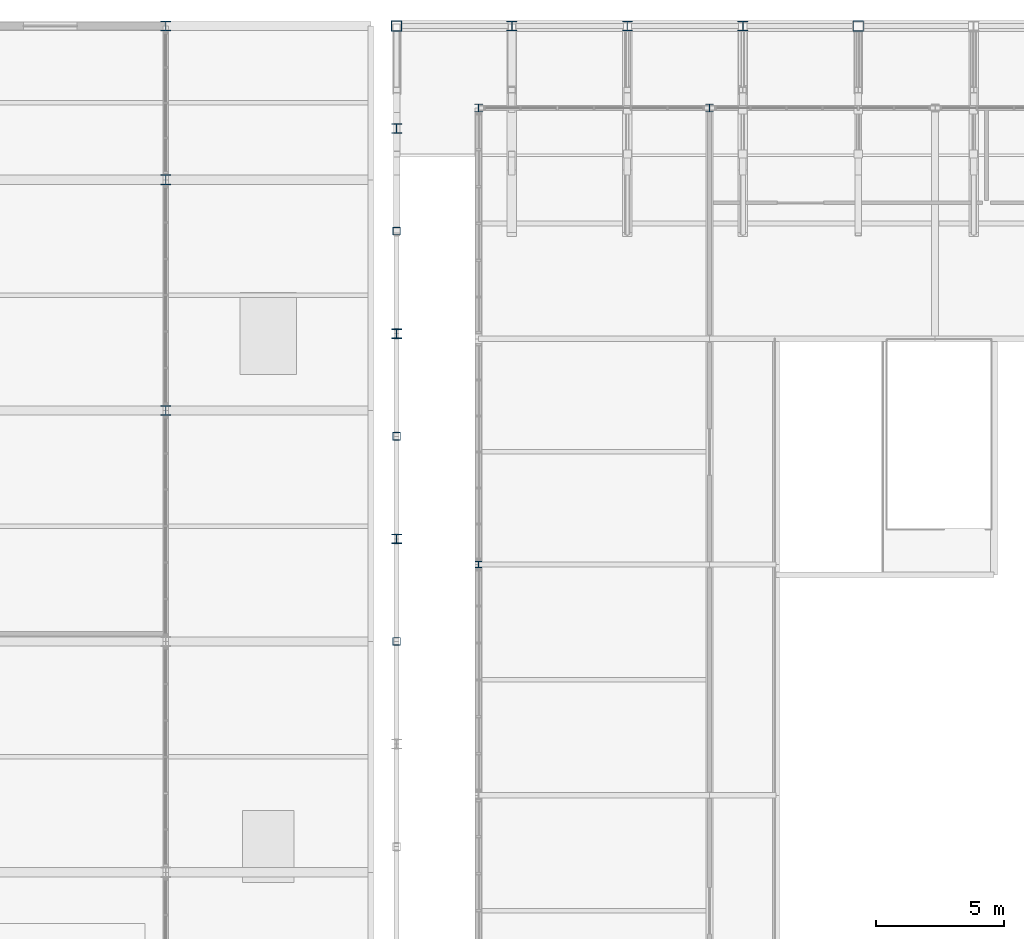
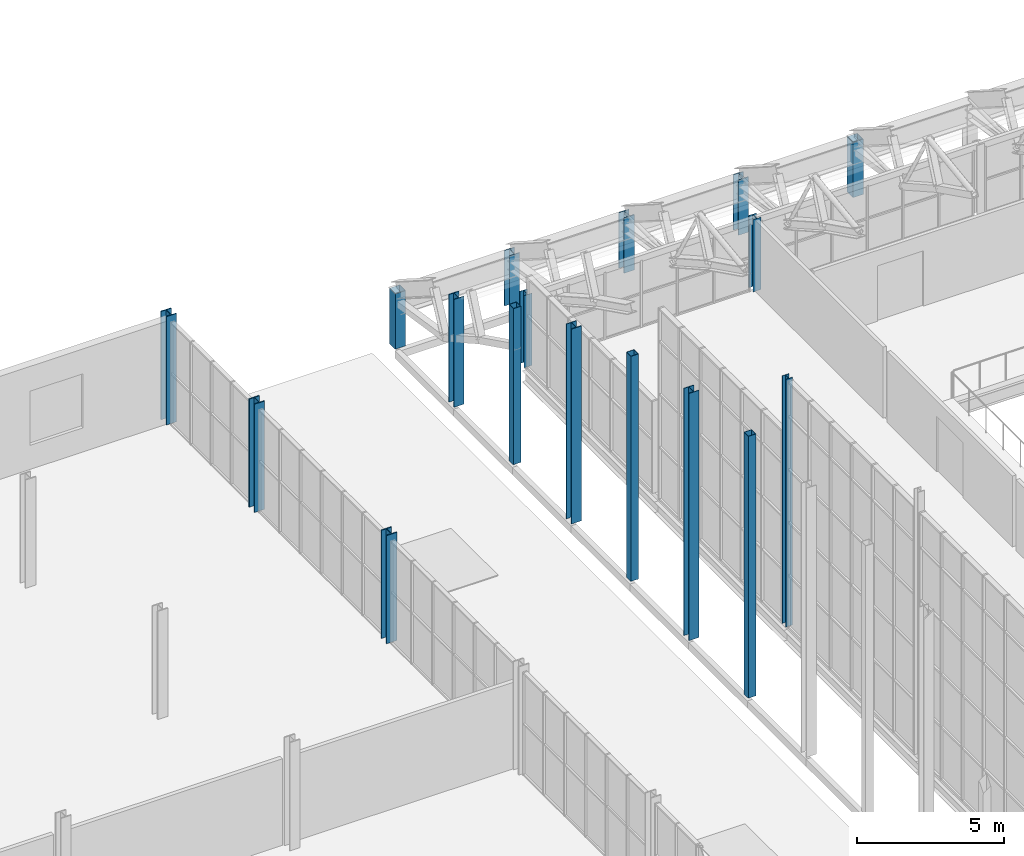
# One storey, part 11 of 134: 17 columns.
"""IFC4 building model written with IfcOpenShell, lengths in metres."""

from ifc_helpers import new_model, si_unit, direction, frame, origin, origin_2d, place, context, subcontext, project, spatial, hollow_rectangle, i_section, extrude, material, material_profile, profile_set, type_object, element, save


model = new_model("IFC4")

# Units and contexts
model_context = context("Model", 3, precision=1e-05, world=origin(), true_north=direction((0.0, 1.0)))
body_context = subcontext(model_context, "Body", "Model", "MODEL_VIEW")
ifc_project = project(units=[si_unit("LENGTHUNIT", "METRE"), si_unit("AREAUNIT", "SQUARE_METRE"), si_unit("VOLUMEUNIT", "CUBIC_METRE"), si_unit("PLANEANGLEUNIT", "RADIAN"), si_unit("MASSUNIT", "GRAM", prefix="KILO")], contexts=[model_context])

# Site, building, storey
site_placement = place(None, origin())
site = spatial("IfcSite", under=ifc_project, at=site_placement, CompositionType="ELEMENT")
building_placement = place(site_placement, origin())
building = spatial("IfcBuilding", under=site, at=building_placement, Name="Cazmaro Siding Exhibition Halls", CompositionType="ELEMENT")
storey_placement = place(building_placement, frame((0.0, 0.0, 12.0)))
storey = spatial("IfcBuildingStorey", under=building, at=storey_placement, Name="L02", CompositionType="ELEMENT", Elevation=12.0)

# Columns
ifc_material_1 = material(Name="Steel ASTM A992 Grade 50", Category="steel")
ifc_material_profile_1 = material_profile(ifc_material_1, i_section(OverallWidth=0.40087890625, OverallDepth=0.39892578125, WebThickness=0.02490234375, FlangeThickness=0.0400390625, at=origin_2d()), Name="W14X211")
ifc_profile_set_1 = profile_set([ifc_material_profile_1], Name="Steel ASTM A992 Grade 50")
column_type_1 = type_object("IfcColumnType", Name="C-02", PredefinedType="COLUMN", material=ifc_profile_set_1)
for number, where, z_axis, x_axis, name in (
    (1, (36.0, 109.0, 0.0), (0.0, 0.0, 1.0), (1.0, 0.0, 0.0), "Column C-02 COL-1067"),
    (2, (36.0, 118.0, 0.0), (0.0, 0.0, 1.0), (1.0, 0.0, 0.0), "Column C-02 COL-1071"),
    (3, (36.0, 124.0, 0.0), (0.0, 0.0, 1.0), (1.0, 0.0, 0.0), "Column C-02 COL-1074"),
):
    element("IfcColumn", number, at=place(storey_placement, frame(where, z_axis=z_axis, x_axis=x_axis)), inside=storey, type_object=column_type_1, Name=name, PredefinedType="COLUMN", context=body_context, shape_type="SweptSolid", body=[
        extrude(i_section(OverallWidth=0.40087890625, OverallDepth=0.39892578125, WebThickness=0.02490234375, FlangeThickness=0.0400390625, at=origin_2d()), origin(), (0.0, 0.0, 1.0), 4.5),
    ])
ifc_material_2 = material(Name="Steel ASTM A992 Grade 50", Category="steel")
ifc_material_profile_2 = material_profile(ifc_material_2, i_section(OverallWidth=0.39208984375, OverallDepth=0.3759765625, WebThickness=0.01708984375, FlangeThickness=0.028076171875, at=origin_2d()), Name="W14X145")
ifc_profile_set_2 = profile_set([ifc_material_profile_2], Name="Steel ASTM A992 Grade 50")
column_type_2 = type_object("IfcColumnType", Name="C-03", PredefinedType="COLUMN", material=ifc_profile_set_2)
for number, where, z_axis, x_axis, name in (
    (4, (49.5, 124.0, 0.0), (0.0, 0.0, 1.0), (1.0, 0.0, 0.0), "Column C-03 COL-0012"),
    (5, (58.5, 124.0, 0.0), (0.0, 0.0, 1.0), (1.0, 0.0, 0.0), "Column C-03 COL-0024"),
):
    element("IfcColumn", number, at=place(storey_placement, frame(where, z_axis=z_axis, x_axis=x_axis)), inside=storey, type_object=column_type_2, Name=name, PredefinedType="COLUMN", context=body_context, shape_type="SweptSolid", body=[
        extrude(i_section(OverallWidth=0.39208984375, OverallDepth=0.3759765625, WebThickness=0.01708984375, FlangeThickness=0.028076171875, at=origin_2d()), origin(), (0.0, 0.0, 1.0), 2.300048828125),
    ])
column_1_placement = place(storey_placement, frame((45.0, 104.0, 0.0), z_axis=(0.0, 0.0, 1.0), x_axis=(1.0, 0.0, 0.0)))
element("IfcColumn", 6, at=column_1_placement, inside=storey, type_object=column_type_2, Name="Column C-03 COL-0204", PredefinedType="COLUMN", context=body_context, shape_type="SweptSolid", body=[
    extrude(i_section(OverallWidth=0.39208984375, OverallDepth=0.3759765625, WebThickness=0.01708984375, FlangeThickness=0.028076171875, at=origin_2d()), origin(), (0.0, 0.0, 1.0), 10.277099609375),
])
column_2_placement = place(storey_placement, frame((45.0, 112.0, 0.0), z_axis=(0.0, 0.0, 1.0), x_axis=(1.0, 0.0, 0.0)))
element("IfcColumn", 7, at=column_2_placement, inside=storey, type_object=column_type_2, Name="Column C-03 COL-0210", PredefinedType="COLUMN", context=body_context, shape_type="SweptSolid", body=[
    extrude(i_section(OverallWidth=0.39208984375, OverallDepth=0.3759765625, WebThickness=0.01708984375, FlangeThickness=0.028076171875, at=origin_2d()), origin(), (0.0, 0.0, 1.0), 8.10205078125),
])
column_3_placement = place(storey_placement, frame((45.0, 120.0, 0.0), z_axis=(0.0, 0.0, 1.0), x_axis=(1.0, 0.0, 0.0)))
element("IfcColumn", 8, at=column_3_placement, inside=storey, type_object=column_type_2, Name="Column C-03 COL-0216", PredefinedType="COLUMN", context=body_context, shape_type="SweptSolid", body=[
    extrude(i_section(OverallWidth=0.39208984375, OverallDepth=0.3759765625, WebThickness=0.01708984375, FlangeThickness=0.028076171875, at=origin_2d()), origin(), (0.0, 0.0, 1.0), 4.47900390625),
])
ifc_material_3 = material(Name="Steel ASTM A992 Grade 50", Category="steel")
ifc_material_profile_3 = material_profile(ifc_material_3, i_section(OverallWidth=0.304931640625, OverallDepth=0.306884765625, WebThickness=0.010009765625, FlangeThickness=0.014892578125, at=origin_2d()), Name="W12X65")
ifc_profile_set_3 = profile_set([ifc_material_profile_3], Name="Steel ASTM A992 Grade 50")
column_type_3 = type_object("IfcColumnType", Name="C-06", PredefinedType="COLUMN", material=ifc_profile_set_3)
for number, where, z_axis, x_axis, name in (
    (9, (48.199951171875, 120.800048828125, 0.0), (0.0, 0.0, 1.0), (1.0, 0.0, 0.0), "Column C-06 COL-0266"),
    (10, (57.199951171875, 120.800048828125, 0.0), (0.0, 0.0, 1.0), (1.0, 0.0, 0.0), "Column C-06 COL-0274"),
):
    element("IfcColumn", number, at=place(storey_placement, frame(where, z_axis=z_axis, x_axis=x_axis)), inside=storey, type_object=column_type_3, Name=name, PredefinedType="COLUMN", context=body_context, shape_type="SweptSolid", body=[
        extrude(i_section(OverallWidth=0.304931640625, OverallDepth=0.306884765625, WebThickness=0.010009765625, FlangeThickness=0.014892578125, at=origin_2d()), origin(), (0.0, 0.0, 1.0), 3.0),
    ])
ifc_material_4 = material(Name="Steel ASTM A992 Grade 50", Category="steel")
ifc_material_profile_4 = material_profile(ifc_material_4, i_section(OverallWidth=0.39892578125, OverallDepth=0.386962890625, WebThickness=0.02099609375, FlangeThickness=0.032958984375, at=origin_2d()), Name="W14X176")
ifc_profile_set_4 = profile_set([ifc_material_profile_4], Name="Steel ASTM A992 Grade 50")
column_type_4 = type_object("IfcColumnType", Name="C-11", PredefinedType="COLUMN", material=ifc_profile_set_4)
column_4_placement = place(storey_placement, frame((54.0, 124.0, 0.0), z_axis=(0.0, 0.0, 1.0), x_axis=(1.0, 0.0, 0.0)))
element("IfcColumn", 11, at=column_4_placement, inside=storey, type_object=column_type_4, Name="Column C-11 COL-0018", PredefinedType="COLUMN", context=body_context, shape_type="SweptSolid", body=[
    extrude(i_section(OverallWidth=0.39892578125, OverallDepth=0.386962890625, WebThickness=0.02099609375, FlangeThickness=0.032958984375, at=origin_2d()), origin(), (0.0, 0.0, 1.0), 2.300048828125),
])
ifc_material_5 = material(Name="Steel ASTM A992 Grade 50", Category="steel")
ifc_material_profile_5 = material_profile(ifc_material_5, i_section(OverallWidth=0.257080078125, OverallDepth=0.263916015625, WebThickness=0.011962890625, FlangeThickness=0.02001953125, at=origin_2d()), Name="W10X68")
ifc_profile_set_5 = profile_set([ifc_material_profile_5], Name="Steel ASTM A992 Grade 50")
column_type_5 = type_object("IfcColumnType", Name="C-14", PredefinedType="COLUMN", material=ifc_profile_set_5)
column_5_placement = place(storey_placement, frame((48.199951171875, 103.0, 0.0), z_axis=(0.0, 0.0, 1.0), x_axis=(1.0, 0.0, 0.0)))
element("IfcColumn", 12, at=column_5_placement, inside=storey, type_object=column_type_5, Name="Column C-14 COL-0402", PredefinedType="COLUMN", context=body_context, shape_type="SweptSolid", body=[
    extrude(i_section(OverallWidth=0.257080078125, OverallDepth=0.263916015625, WebThickness=0.011962890625, FlangeThickness=0.02001953125, at=origin_2d()), origin(), (0.0, 0.0, 1.0), 10.2880859375),
])
ifc_material_6 = material(Name="Steel ASTM A500 Grade C", Category="steel")
ifc_material_profile_6 = material_profile(ifc_material_6, hollow_rectangle(XDim=0.406005859375, YDim=0.406005859375, WallThickness=0.014892578125, at=origin_2d()), Name="HSS16X16X5/8")
ifc_profile_set_6 = profile_set([ifc_material_profile_6], Name="Steel ASTM A500 Grade C")
column_type_6 = type_object("IfcColumnType", Name="PL-01", PredefinedType="PILASTER", material=ifc_profile_set_6)
for number, where, z_axis, x_axis, name in (
    (13, (45.0, 124.0, 0.0), (0.0, 0.0, 1.0), (1.0, 0.0, 0.0), "Column PL-01 COL-0006"),
    (14, (63.0, 124.0, 0.0), (0.0, 0.0, 1.0), (1.0, 0.0, 0.0), "Column PL-01 COL-0030"),
):
    element("IfcColumn", number, at=place(storey_placement, frame(where, z_axis=z_axis, x_axis=x_axis)), inside=storey, type_object=column_type_6, Name=name, PredefinedType="PILASTER", context=body_context, shape_type="SweptSolid", body=[
        extrude(hollow_rectangle(XDim=0.406005859375, YDim=0.406005859375, WallThickness=0.014892578125, at=origin_2d()), origin(), (0.0, 0.0, 1.0), 2.300048828125),
    ])
ifc_material_7 = material(Name="Steel ASTM A500 Grade C", Category="steel")
ifc_material_profile_7 = material_profile(ifc_material_7, hollow_rectangle(XDim=0.304931640625, YDim=0.304931640625, WallThickness=0.014892578125, at=origin_2d()), Name="HSS12X12X5/8")
ifc_profile_set_7 = profile_set([ifc_material_profile_7], Name="Steel ASTM A500 Grade C")
column_type_7 = type_object("IfcColumnType", Name="PL-02", PredefinedType="PILASTER", material=ifc_profile_set_7)
column_6_placement = place(storey_placement, frame((45.0, 100.0, 0.0), z_axis=(0.0, 0.0, 1.0), x_axis=(1.0, 0.0, 0.0)))
element("IfcColumn", 15, at=column_6_placement, inside=storey, type_object=column_type_7, Name="Column PL-02 COL-0201", PredefinedType="PILASTER", context=body_context, shape_type="SweptSolid", body=[
    extrude(hollow_rectangle(XDim=0.304931640625, YDim=0.304931640625, WallThickness=0.014892578125, at=origin_2d()), origin(), (0.0, 0.0, 1.0), 10.883056640625),
])
column_7_placement = place(storey_placement, frame((45.0, 108.0, 0.0), z_axis=(0.0, 0.0, 1.0), x_axis=(1.0, 0.0, 0.0)))
element("IfcColumn", 16, at=column_7_placement, inside=storey, type_object=column_type_7, Name="Column PL-02 COL-0207", PredefinedType="PILASTER", context=body_context, shape_type="SweptSolid", body=[
    extrude(hollow_rectangle(XDim=0.304931640625, YDim=0.304931640625, WallThickness=0.014892578125, at=origin_2d()), origin(), (0.0, 0.0, 1.0), 9.35595703125),
])
column_8_placement = place(storey_placement, frame((45.0, 116.0, 0.0), z_axis=(0.0, 0.0, 1.0), x_axis=(1.0, 0.0, 0.0)))
element("IfcColumn", 17, at=column_8_placement, inside=storey, type_object=column_type_7, Name="Column PL-02 COL-0213", PredefinedType="PILASTER", context=body_context, shape_type="SweptSolid", body=[
    extrude(hollow_rectangle(XDim=0.304931640625, YDim=0.304931640625, WallThickness=0.014892578125, at=origin_2d()), origin(), (0.0, 0.0, 1.0), 6.489013671875),
])

save(model, "model.ifc")
